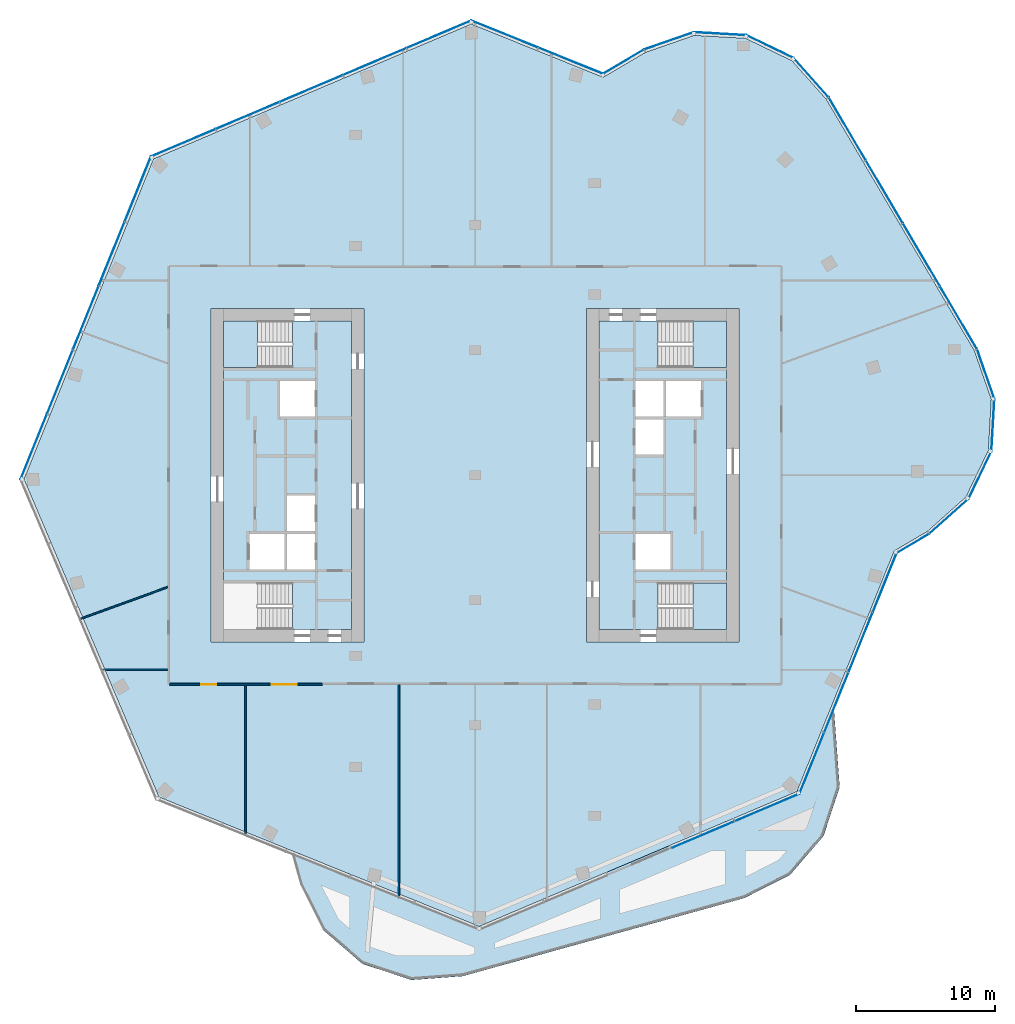
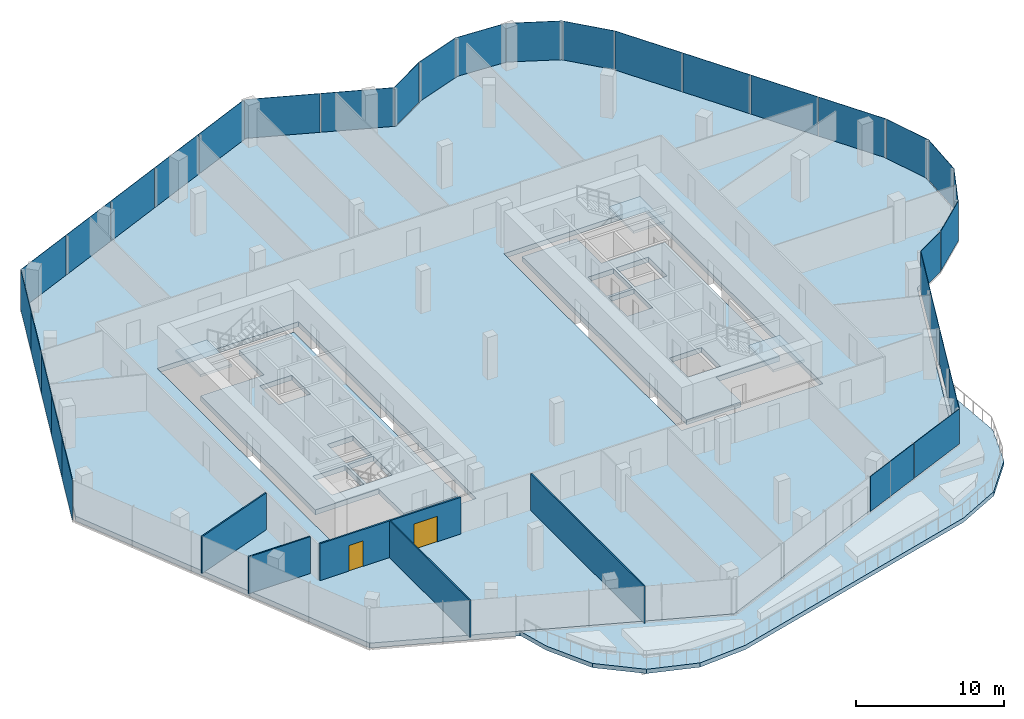
# One storey, part 11 of 17: 32 plates, 7 slabs, 5 walls, 2 doors, 2 openings, 19 elements without a shape of their own.
"""IFC4 building model written with IfcOpenShell, lengths in metres."""

from ifc_helpers import new_model, si_unit, direction, frame, frame_2d, origin, origin_2d, place, context, subcontext, project, spatial, polyline, rectangle, outline, extrude, material, layer, layer_set, type_object, element, fill, aggregate, save


model = new_model("IFC4")

# Units and contexts
model_context = context("Model", 3, precision=1e-05, world=origin(), true_north=direction((0.0, 1.0)))
body_context = subcontext(model_context, "Body", "Model", "MODEL_VIEW")
ifc_project = project(units=[si_unit("LENGTHUNIT", "METRE"), si_unit("AREAUNIT", "SQUARE_METRE"), si_unit("VOLUMEUNIT", "CUBIC_METRE"), si_unit("PLANEANGLEUNIT", "RADIAN"), si_unit("MASSUNIT", "GRAM", prefix="KILO")], contexts=[model_context])

# Site, building, storey
site_placement = place(None, origin())
site = spatial("IfcSite", under=ifc_project, at=site_placement, CompositionType="ELEMENT")
building_placement = place(site_placement, origin())
building = spatial("IfcBuilding", under=site, at=building_placement, Name="Orlundy Tower", CompositionType="ELEMENT")
storey_placement = place(building_placement, frame((0.0, 0.0, 296.39990234375)))
storey = spatial("IfcBuildingStorey", under=building, at=storey_placement, Name="L79", CompositionType="ELEMENT", Elevation=296.39990234375)

# Curtain wall, plate
ifc_material_1 = material(Name="Aluminium bronze anodised", Category="aluminium")
curtain_wall_type = type_object("IfcCurtainWallType", Name="CW6 wall", PredefinedType="NOTDEFINED", material=ifc_material_1)
curtain_wall_1_placement = place(storey_placement, origin())
curtain_wall_1 = element("IfcCurtainWall", 1, at=curtain_wall_1_placement, inside=storey, type_object=curtain_wall_type, Name="CW6 run 00", PredefinedType="NOTDEFINED")
ifc_material_2 = material(Name="Tinted glass", Category="glass")
ifc_layer_1 = layer(ifc_material_2, 0.035888671875)
ifc_layer_set_1 = layer_set([ifc_layer_1], Name="CW6 glass panel 36")
plate_type = type_object("IfcPlateType", Name="CW6 glass panel 36", PredefinedType="CURTAIN_PANEL", material=ifc_layer_set_1)
plate_1_placement = place(storey_placement, frame((31.497314453125, -4.91650390625, -0.239990234375), z_axis=(0.0, 0.0, 1.0), x_axis=(-0.861647850116, -0.507506632853, 0.0)))
plate_1 = element("IfcPlate", 2, at=plate_1_placement, type_object=plate_type, Name="CW6 panel", PredefinedType="CURTAIN_PANEL", context=body_context, shape_type="SweptSolid", body=[
    extrude(rectangle(XDim=2.70556640625, YDim=0.035888671875, at=origin_2d()), origin(), (0.0, 0.0, 1.0), 3.2900390625),
])
aggregate(curtain_wall_1, [plate_1])

# Curtain wall, plates
curtain_wall_2_placement = place(storey_placement, origin())
curtain_wall_2 = element("IfcCurtainWall", 3, at=curtain_wall_2_placement, inside=storey, type_object=curtain_wall_type, Name="CW6 run 01", PredefinedType="NOTDEFINED")
plate_2_placement = place(storey_placement, frame((29.476318359375, -7.72021484375, -0.239990234375), z_axis=(0.0, 0.0, 1.0), x_axis=(-0.374574637608, -0.927196764911, 0.0)))
plate_2 = element("IfcPlate", 4, at=plate_2_placement, type_object=plate_type, Name="CW6 panel", PredefinedType="CURTAIN_PANEL", context=body_context, shape_type="SweptSolid", body=[
    extrude(rectangle(XDim=4.56689453125, YDim=0.035888671875, at=origin_2d()), origin(), (0.0, 0.0, 1.0), 3.2900390625),
])
plate_3_placement = place(storey_placement, frame((27.737548828125, -12.0244140625, -0.239990234375), z_axis=(0.0, 0.0, 1.0), x_axis=(-0.374574637608, -0.927196764911, 0.0)))
plate_3 = element("IfcPlate", 5, at=plate_3_placement, type_object=plate_type, Name="CW6 panel", PredefinedType="CURTAIN_PANEL", context=body_context, shape_type="SweptSolid", body=[
    extrude(rectangle(XDim=4.6171875, YDim=0.035888671875, at=origin_2d()), origin(), (0.0, 0.0, 1.0), 3.2900390625),
])
plate_4_placement = place(storey_placement, frame((25.9892578125, -16.351806640625, 0.16015625), z_axis=(0.0, 0.0, 1.0), x_axis=(-0.374574637608, -0.927196764911, 0.0)))
plate_4 = element("IfcPlate", 6, at=plate_4_placement, type_object=plate_type, Name="CW6 panel", PredefinedType="CURTAIN_PANEL", context=body_context, shape_type="SweptSolid", body=[
    extrude(rectangle(XDim=4.6171875, YDim=0.035888671875, at=origin_2d()), origin(), (0.0, 0.0, 1.0), 2.889892578125),
])
plate_5_placement = place(storey_placement, frame((24.218994140625, -20.733642578125, 0.16015625), z_axis=(0.0, 0.0, 1.0), x_axis=(-0.374574637608, -0.927196764911, 0.0)))
plate_5 = element("IfcPlate", 7, at=plate_5_placement, type_object=plate_type, Name="CW6 panel", PredefinedType="CURTAIN_PANEL", context=body_context, shape_type="SweptSolid", body=[
    extrude(rectangle(XDim=4.734375, YDim=0.035888671875, at=origin_2d()), origin(), (0.0, 0.0, 1.0), 2.889892578125),
])
aggregate(curtain_wall_2, [plate_2, plate_3, plate_4, plate_5])

curtain_wall_3_placement = place(storey_placement, origin())
curtain_wall_3 = element("IfcCurtainWall", 8, at=curtain_wall_3_placement, inside=storey, type_object=curtain_wall_type, Name="CW6 run 02", PredefinedType="NOTDEFINED")
plate_6_placement = place(storey_placement, frame((21.013671875, -23.91259765625, 0.16015625), z_axis=(0.0, 0.0, 1.0), x_axis=(-0.920506804854, -0.390726531244, 0.0)))
plate_6 = element("IfcPlate", 9, at=plate_6_placement, type_object=plate_type, Name="CW6 panel", PredefinedType="CURTAIN_PANEL", context=body_context, shape_type="SweptSolid", body=[
    extrude(rectangle(XDim=5.03759765625, YDim=0.035888671875, at=origin_2d()), origin(), (0.0, 0.0, 1.0), 2.889892578125),
])
plate_7_placement = place(storey_placement, frame((16.38427734375, -25.877685546875, 0.16015625), z_axis=(0.0, 0.0, 1.0), x_axis=(-0.920506804854, -0.390726531244, 0.0)))
plate_7 = element("IfcPlate", 10, at=plate_7_placement, type_object=plate_type, Name="CW6 panel", PredefinedType="CURTAIN_PANEL", context=body_context, shape_type="SweptSolid", body=[
    extrude(rectangle(XDim=4.920654296875, YDim=0.035888671875, at=origin_2d()), origin(), (0.0, 0.0, 1.0), 2.889892578125),
])
aggregate(curtain_wall_3, [plate_6, plate_7])

curtain_wall_4_placement = place(storey_placement, origin())
curtain_wall_4 = element("IfcCurtainWall", 11, at=curtain_wall_4_placement, inside=storey, type_object=curtain_wall_type, Name="CW6 run 05", PredefinedType="NOTDEFINED")
plate_8_placement = place(storey_placement, frame((-31.767822265625, 2.05029296875, -0.239990234375), z_axis=(0.0, 0.0, 1.0), x_axis=(0.374607412456, 0.927183523653, 0.0)))
plate_8 = element("IfcPlate", 12, at=plate_8_placement, type_object=plate_type, Name="CW6 panel", PredefinedType="CURTAIN_PANEL", context=body_context, shape_type="SweptSolid", body=[
    extrude(rectangle(XDim=5.03759765625, YDim=0.035888671875, at=origin_2d()), origin(), (0.0, 0.0, 1.0), 3.2900390625),
])
plate_9_placement = place(storey_placement, frame((-29.8837890625, 6.713134765625, -0.239990234375), z_axis=(0.0, 0.0, 1.0), x_axis=(0.374607412456, 0.927183523653, 0.0)))
plate_9 = element("IfcPlate", 13, at=plate_9_placement, type_object=plate_type, Name="CW6 panel", PredefinedType="CURTAIN_PANEL", context=body_context, shape_type="SweptSolid", body=[
    extrude(rectangle(XDim=4.920654296875, YDim=0.035888671875, at=origin_2d()), origin(), (0.0, 0.0, 1.0), 3.2900390625),
])
plate_10_placement = place(storey_placement, frame((-28.021728515625, 11.32177734375, -0.239990234375), z_axis=(0.0, 0.0, 1.0), x_axis=(0.374607412456, 0.927183523653, 0.0)))
plate_10 = element("IfcPlate", 14, at=plate_10_placement, type_object=plate_type, Name="CW6 panel", PredefinedType="CURTAIN_PANEL", context=body_context, shape_type="SweptSolid", body=[
    extrude(rectangle(XDim=4.920654296875, YDim=0.035888671875, at=origin_2d()), origin(), (0.0, 0.0, 1.0), 3.2900390625),
])
plate_11_placement = place(storey_placement, frame((-26.159912109375, 15.93017578125, -0.239990234375), z_axis=(0.0, 0.0, 1.0), x_axis=(0.374607412456, 0.927183523653, 0.0)))
plate_11 = element("IfcPlate", 15, at=plate_11_placement, type_object=plate_type, Name="CW6 panel", PredefinedType="CURTAIN_PANEL", context=body_context, shape_type="SweptSolid", body=[
    extrude(rectangle(XDim=4.920654296875, YDim=0.035888671875, at=origin_2d()), origin(), (0.0, 0.0, 1.0), 3.2900390625),
])
plate_12_placement = place(storey_placement, frame((-24.27587890625, 20.593017578125, -0.239990234375), z_axis=(0.0, 0.0, 1.0), x_axis=(0.374607412456, 0.927183523653, 0.0)))
plate_12 = element("IfcPlate", 16, at=plate_12_placement, type_object=plate_type, Name="CW6 panel", PredefinedType="CURTAIN_PANEL", context=body_context, shape_type="SweptSolid", body=[
    extrude(rectangle(XDim=5.03759765625, YDim=0.035888671875, at=origin_2d()), origin(), (0.0, 0.0, 1.0), 3.2900390625),
])
aggregate(curtain_wall_4, [plate_8, plate_9, plate_10, plate_11, plate_12])

curtain_wall_5_placement = place(storey_placement, origin())
curtain_wall_5 = element("IfcCurtainWall", 17, at=curtain_wall_5_placement, inside=storey, type_object=curtain_wall_type, Name="CW6 run 06", PredefinedType="NOTDEFINED")
plate_13_placement = place(storey_placement, frame((-21.013671875, 23.91259765625, -0.239990234375), z_axis=(0.0, 0.0, 1.0), x_axis=(0.920506804854, 0.390726531244, 0.0)))
plate_13 = element("IfcPlate", 18, at=plate_13_placement, type_object=plate_type, Name="CW6 panel", PredefinedType="CURTAIN_PANEL", context=body_context, shape_type="SweptSolid", body=[
    extrude(rectangle(XDim=5.03759765625, YDim=0.035888671875, at=origin_2d()), origin(), (0.0, 0.0, 1.0), 3.2900390625),
])
plate_14_placement = place(storey_placement, frame((-16.38427734375, 25.877685546875, -0.239990234375), z_axis=(0.0, 0.0, 1.0), x_axis=(0.920506804854, 0.390726531244, 0.0)))
plate_14 = element("IfcPlate", 19, at=plate_14_placement, type_object=plate_type, Name="CW6 panel", PredefinedType="CURTAIN_PANEL", context=body_context, shape_type="SweptSolid", body=[
    extrude(rectangle(XDim=4.920654296875, YDim=0.035888671875, at=origin_2d()), origin(), (0.0, 0.0, 1.0), 3.2900390625),
])
plate_15_placement = place(storey_placement, frame((-11.808837890625, 27.81982421875, -0.239990234375), z_axis=(0.0, 0.0, 1.0), x_axis=(0.920506804854, 0.390726531244, 0.0)))
plate_15 = element("IfcPlate", 20, at=plate_15_placement, type_object=plate_type, Name="CW6 panel", PredefinedType="CURTAIN_PANEL", context=body_context, shape_type="SweptSolid", body=[
    extrude(rectangle(XDim=4.920654296875, YDim=0.035888671875, at=origin_2d()), origin(), (0.0, 0.0, 1.0), 3.2900390625),
])
plate_16_placement = place(storey_placement, frame((-7.233154296875, 29.761962890625, -0.239990234375), z_axis=(0.0, 0.0, 1.0), x_axis=(0.920506804854, 0.390726531244, 0.0)))
plate_16 = element("IfcPlate", 21, at=plate_16_placement, type_object=plate_type, Name="CW6 panel", PredefinedType="CURTAIN_PANEL", context=body_context, shape_type="SweptSolid", body=[
    extrude(rectangle(XDim=4.920654296875, YDim=0.035888671875, at=origin_2d()), origin(), (0.0, 0.0, 1.0), 3.2900390625),
])
plate_17_placement = place(storey_placement, frame((-2.603759765625, 31.72705078125, -0.239990234375), z_axis=(0.0, 0.0, 1.0), x_axis=(0.920506804854, 0.390726531244, 0.0)))
plate_17 = element("IfcPlate", 22, at=plate_17_placement, type_object=plate_type, Name="CW6 panel", PredefinedType="CURTAIN_PANEL", context=body_context, shape_type="SweptSolid", body=[
    extrude(rectangle(XDim=5.03759765625, YDim=0.035888671875, at=origin_2d()), origin(), (0.0, 0.0, 1.0), 3.2900390625),
])
aggregate(curtain_wall_5, [plate_13, plate_14, plate_15, plate_16, plate_17])

curtain_wall_6_placement = place(storey_placement, origin())
curtain_wall_6 = element("IfcCurtainWall", 23, at=curtain_wall_6_placement, inside=storey, type_object=curtain_wall_type, Name="CW6 run 07", PredefinedType="NOTDEFINED")
plate_18_placement = place(storey_placement, frame((2.11865234375, 31.739990234375, -0.239990234375), z_axis=(0.0, 0.0, 1.0), x_axis=(0.927170719858, -0.374639101319, 0.0)))
plate_18 = element("IfcPlate", 24, at=plate_18_placement, type_object=plate_type, Name="CW6 panel", PredefinedType="CURTAIN_PANEL", context=body_context, shape_type="SweptSolid", body=[
    extrude(rectangle(XDim=5.185302734375, YDim=0.035888671875, at=origin_2d()), origin(), (0.0, 0.0, 1.0), 3.2900390625),
])
plate_19_placement = place(storey_placement, frame((6.879150390625, 29.81640625, -0.239990234375), z_axis=(0.0, 0.0, 1.0), x_axis=(0.927170719858, -0.374639101319, 0.0)))
plate_19 = element("IfcPlate", 25, at=plate_19_placement, type_object=plate_type, Name="CW6 panel", PredefinedType="CURTAIN_PANEL", context=body_context, shape_type="SweptSolid", body=[
    extrude(rectangle(XDim=4.98388671875, YDim=0.035888671875, at=origin_2d()), origin(), (0.0, 0.0, 1.0), 3.2900390625),
])
aggregate(curtain_wall_6, [plate_18, plate_19])

# Curtain wall, plate
curtain_wall_7_placement = place(storey_placement, origin())
curtain_wall_7 = element("IfcCurtainWall", 26, at=curtain_wall_7_placement, inside=storey, type_object=curtain_wall_type, Name="CW6 run 08", PredefinedType="NOTDEFINED")
plate_20_placement = place(storey_placement, frame((10.6630859375, 29.750732421875, -0.239990234375), z_axis=(0.0, 0.0, 1.0), x_axis=(0.861635724688, 0.507527218917, 0.0)))
plate_20 = element("IfcPlate", 27, at=plate_20_placement, type_object=plate_type, Name="CW6 panel", PredefinedType="CURTAIN_PANEL", context=body_context, shape_type="SweptSolid", body=[
    extrude(rectangle(XDim=3.420166015625, YDim=0.035888671875, at=origin_2d()), origin(), (0.0, 0.0, 1.0), 3.2900390625),
])
aggregate(curtain_wall_7, [plate_20])

curtain_wall_8_placement = place(storey_placement, origin())
curtain_wall_8 = element("IfcCurtainWall", 28, at=curtain_wall_8_placement, inside=storey, type_object=curtain_wall_type, Name="CW6 run 09", PredefinedType="NOTDEFINED")
plate_21_placement = place(storey_placement, frame((13.95068359375, 31.25732421875, -0.239990234375), z_axis=(0.0, 0.0, 1.0), x_axis=(0.944081083956, 0.32971337085, 0.0)))
plate_21 = element("IfcPlate", 29, at=plate_21_placement, type_object=plate_type, Name="CW6 panel", PredefinedType="CURTAIN_PANEL", context=body_context, shape_type="SweptSolid", body=[
    extrude(rectangle(XDim=3.7470703125, YDim=0.035888671875, at=origin_2d()), origin(), (0.0, 0.0, 1.0), 3.2900390625),
])
aggregate(curtain_wall_8, [plate_21])

curtain_wall_9_placement = place(storey_placement, origin())
curtain_wall_9 = element("IfcCurtainWall", 30, at=curtain_wall_9_placement, inside=storey, type_object=curtain_wall_type, Name="CW6 run 010", PredefinedType="NOTDEFINED")
plate_22_placement = place(storey_placement, frame((17.614013671875, 31.767578125, -0.239990234375), z_axis=(0.0, 0.0, 1.0), x_axis=(0.998394082315, -0.056650299193, 0.0)))
plate_22 = element("IfcPlate", 31, at=plate_22_placement, type_object=plate_type, Name="CW6 panel", PredefinedType="CURTAIN_PANEL", context=body_context, shape_type="SweptSolid", body=[
    extrude(rectangle(XDim=3.79541015625, YDim=0.035888671875, at=origin_2d()), origin(), (0.0, 0.0, 1.0), 3.2900390625),
])
aggregate(curtain_wall_9, [plate_22])

curtain_wall_10_placement = place(storey_placement, origin())
curtain_wall_10 = element("IfcCurtainWall", 32, at=curtain_wall_10_placement, inside=storey, type_object=curtain_wall_type, Name="CW6 run 011", PredefinedType="NOTDEFINED")
plate_23_placement = place(storey_placement, frame((21.217529296875, 30.83544921875, -0.239990234375), z_axis=(0.0, 0.0, 1.0), x_axis=(0.900598982958, -0.434650977101, 0.0)))
plate_23 = element("IfcPlate", 33, at=plate_23_placement, type_object=plate_type, Name="CW6 panel", PredefinedType="CURTAIN_PANEL", context=body_context, shape_type="SweptSolid", body=[
    extrude(rectangle(XDim=3.794677734375, YDim=0.035888671875, at=origin_2d()), origin(), (0.0, 0.0, 1.0), 3.2900390625),
])
aggregate(curtain_wall_10, [plate_23])

curtain_wall_11_placement = place(storey_placement, origin())
curtain_wall_11 = element("IfcCurtainWall", 34, at=curtain_wall_11_placement, inside=storey, type_object=curtain_wall_type, Name="CW6 run 012", PredefinedType="NOTDEFINED")
plate_24_placement = place(storey_placement, frame((24.17431640625, 28.613037109375, -0.239990234375), z_axis=(0.0, 0.0, 1.0), x_axis=(0.666053294525, -0.745904155272, 0.0)))
plate_24 = element("IfcPlate", 35, at=plate_24_placement, type_object=plate_type, Name="CW6 panel", PredefinedType="CURTAIN_PANEL", context=body_context, shape_type="SweptSolid", body=[
    extrude(rectangle(XDim=3.747802734375, YDim=0.035888671875, at=origin_2d()), origin(), (0.0, 0.0, 1.0), 3.2900390625),
])
aggregate(curtain_wall_11, [plate_24])

# Curtain wall, plates
curtain_wall_12_placement = place(storey_placement, origin())
curtain_wall_12 = element("IfcCurtainWall", 36, at=curtain_wall_12_placement, inside=storey, type_object=curtain_wall_type, Name="CW6 run 013", PredefinedType="NOTDEFINED")
plate_25_placement = place(storey_placement, frame((26.777099609375, 24.92529296875, -0.239990234375), z_axis=(0.0, 0.0, 1.0), x_axis=(0.507531980737, -0.861632919827, 0.0)))
plate_25 = element("IfcPlate", 37, at=plate_25_placement, type_object=plate_type, Name="CW6 panel", PredefinedType="CURTAIN_PANEL", context=body_context, shape_type="SweptSolid", body=[
    extrude(rectangle(XDim=5.2216796875, YDim=0.035888671875, at=origin_2d()), origin(), (0.0, 0.0, 1.0), 3.2900390625),
])
plate_26_placement = place(storey_placement, frame((29.447021484375, 20.392333984375, -0.239990234375), z_axis=(0.0, 0.0, 1.0), x_axis=(0.507531980737, -0.861632919827, 0.0)))
plate_26 = element("IfcPlate", 38, at=plate_26_placement, type_object=plate_type, Name="CW6 panel", PredefinedType="CURTAIN_PANEL", context=body_context, shape_type="SweptSolid", body=[
    extrude(rectangle(XDim=5.199951171875, YDim=0.035888671875, at=origin_2d()), origin(), (0.0, 0.0, 1.0), 3.2900390625),
])
plate_27_placement = place(storey_placement, frame((32.111572265625, 15.868896484375, -0.239990234375), z_axis=(0.0, 0.0, 1.0), x_axis=(0.507531980737, -0.861632919827, 0.0)))
plate_27 = element("IfcPlate", 39, at=plate_27_placement, type_object=plate_type, Name="CW6 panel", PredefinedType="CURTAIN_PANEL", context=body_context, shape_type="SweptSolid", body=[
    extrude(rectangle(XDim=5.199951171875, YDim=0.035888671875, at=origin_2d()), origin(), (0.0, 0.0, 1.0), 3.2900390625),
])
plate_28_placement = place(storey_placement, frame((34.781494140625, 11.3359375, -0.239990234375), z_axis=(0.0, 0.0, 1.0), x_axis=(0.507531980737, -0.861632919827, 0.0)))
plate_28 = element("IfcPlate", 40, at=plate_28_placement, type_object=plate_type, Name="CW6 panel", PredefinedType="CURTAIN_PANEL", context=body_context, shape_type="SweptSolid", body=[
    extrude(rectangle(XDim=5.2216796875, YDim=0.035888671875, at=origin_2d()), origin(), (0.0, 0.0, 1.0), 3.2900390625),
])
aggregate(curtain_wall_12, [plate_25, plate_26, plate_27, plate_28])

# Curtain wall, plate
curtain_wall_13_placement = place(storey_placement, origin())
curtain_wall_13 = element("IfcCurtainWall", 41, at=curtain_wall_13_placement, inside=storey, type_object=curtain_wall_type, Name="CW6 run 014", PredefinedType="NOTDEFINED")
plate_29_placement = place(storey_placement, frame((36.745361328125, 7.271728515625, -0.239990234375), z_axis=(0.0, 0.0, 1.0), x_axis=(0.329629404105, -0.944110404534, 0.0)))
plate_29 = element("IfcPlate", 42, at=plate_29_placement, type_object=plate_type, Name="CW6 panel", PredefinedType="CURTAIN_PANEL", context=body_context, shape_type="SweptSolid", body=[
    extrude(rectangle(XDim=3.748046875, YDim=0.035888671875, at=origin_2d()), origin(), (0.0, 0.0, 1.0), 3.2900390625),
])
aggregate(curtain_wall_13, [plate_29])

curtain_wall_14_placement = place(storey_placement, origin())
curtain_wall_14 = element("IfcCurtainWall", 43, at=curtain_wall_14_placement, inside=storey, type_object=curtain_wall_type, Name="CW6 run 015", PredefinedType="NOTDEFINED")
plate_30_placement = place(storey_placement, frame((37.255615234375, 3.60791015625, -0.239990234375), z_axis=(0.0, 0.0, 1.0), x_axis=(-0.056650299193, -0.998394082315, 0.0)))
plate_30 = element("IfcPlate", 44, at=plate_30_placement, type_object=plate_type, Name="CW6 panel", PredefinedType="CURTAIN_PANEL", context=body_context, shape_type="SweptSolid", body=[
    extrude(rectangle(XDim=3.795166015625, YDim=0.035888671875, at=origin_2d()), origin(), (0.0, 0.0, 1.0), 3.2900390625),
])
aggregate(curtain_wall_14, [plate_30])

curtain_wall_15_placement = place(storey_placement, origin())
curtain_wall_15 = element("IfcCurtainWall", 45, at=curtain_wall_15_placement, inside=storey, type_object=curtain_wall_type, Name="CW6 run 016", PredefinedType="NOTDEFINED")
plate_31_placement = place(storey_placement, frame((36.323974609375, 0.004638671875, -0.239990234375), z_axis=(0.0, 0.0, 1.0), x_axis=(-0.434432108019, -0.900704581715, 0.0)))
plate_31 = element("IfcPlate", 46, at=plate_31_placement, type_object=plate_type, Name="CW6 panel", PredefinedType="CURTAIN_PANEL", context=body_context, shape_type="SweptSolid", body=[
    extrude(rectangle(XDim=3.794189453125, YDim=0.035888671875, at=origin_2d()), origin(), (0.0, 0.0, 1.0), 3.2900390625),
])
aggregate(curtain_wall_15, [plate_31])

curtain_wall_16_placement = place(storey_placement, origin())
curtain_wall_16 = element("IfcCurtainWall", 47, at=curtain_wall_16_placement, inside=storey, type_object=curtain_wall_type, Name="CW6 run 017", PredefinedType="NOTDEFINED")
plate_32_placement = place(storey_placement, frame((34.1015625, -2.952392578125, -0.239990234375), z_axis=(0.0, 0.0, 1.0), x_axis=(-0.746023794818, -0.665919287575, 0.0)))
plate_32 = element("IfcPlate", 48, at=plate_32_placement, type_object=plate_type, Name="CW6 panel", PredefinedType="CURTAIN_PANEL", context=body_context, shape_type="SweptSolid", body=[
    extrude(rectangle(XDim=3.74853515625, YDim=0.035888671875, at=origin_2d()), origin(), (0.0, 0.0, 1.0), 3.2900390625),
])
aggregate(curtain_wall_16, [plate_32])

# Slabs
ifc_material_3 = material(Name="Concrete C50/60", Category="concrete")
ifc_layer_2 = layer(ifc_material_3, 0.409912109375)
ifc_layer_set_2 = layer_set([ifc_layer_2], Name="Core Floor Slab 410")
slab_type_1 = type_object("IfcSlabType", Name="Core Floor Slab 410", PredefinedType="FLOOR", material=ifc_layer_set_2)
slab_1_placement = place(storey_placement, frame((0.0, 0.0, -0.409912109375)))
element("IfcSlab", 49, at=slab_1_placement, inside=storey, type_object=slab_type_1, Name="Core floor W61", PredefinedType="FLOOR", context=body_context, shape_type="SweptSolid", body=[
    extrude(outline(polyline([(-18.10009765625, 7.75), (-13.14501953125, 7.75), (-13.14501953125, 11.10009765625), (-8.89990234375, 11.10009765625), (-8.89990234375, -11.10009765625), (-13.14501953125, -11.10009765625), (-13.14501953125, -7.75), (-18.10009765625, -7.75), (-18.10009765625, 7.75)]), holes=[polyline([(-13.5400390625, -4.22509765625), (-13.5400390625, -6.77490234375), (-11.5400390625, -6.77490234375), (-11.5400390625, -4.22509765625), (-13.5400390625, -4.22509765625)]), polyline([(-13.739990234375, -4.22509765625), (-16.239990234375, -4.22509765625), (-16.239990234375, -6.77490234375), (-13.739990234375, -6.77490234375), (-13.739990234375, -4.22509765625)]), polyline([(-11.5400390625, -4.02490234375), (-11.5400390625, -1.47509765625), (-13.5400390625, -1.47509765625), (-13.5400390625, -4.02490234375), (-11.5400390625, -4.02490234375)]), polyline([(-14.0400390625, 4.22509765625), (-11.5400390625, 4.22509765625), (-11.5400390625, 6.77490234375), (-14.0400390625, 6.77490234375), (-14.0400390625, 4.22509765625)])]), origin(), (0.0, 0.0, 1.0), 0.409912109375),
])
slab_2_placement = place(storey_placement, frame((0.0, 0.0, -0.409912109375)))
element("IfcSlab", 50, at=slab_2_placement, inside=storey, type_object=slab_type_1, Name="Core floor E61", PredefinedType="FLOOR", context=body_context, shape_type="SweptSolid", body=[
    extrude(outline(polyline([(18.10009765625, -7.75), (13.14501953125, -7.75), (13.14501953125, -11.10009765625), (8.89990234375, -11.10009765625), (8.89990234375, 11.10009765625), (13.14501953125, 11.10009765625), (13.14501953125, 7.75), (18.10009765625, 7.75), (18.10009765625, -7.75)]), holes=[polyline([(13.5400390625, 4.22509765625), (13.5400390625, 6.77490234375), (11.5400390625, 6.77490234375), (11.5400390625, 4.22509765625), (13.5400390625, 4.22509765625)]), polyline([(13.739990234375, 4.22509765625), (16.239990234375, 4.22509765625), (16.239990234375, 6.77490234375), (13.739990234375, 6.77490234375), (13.739990234375, 4.22509765625)]), polyline([(11.5400390625, 4.02490234375), (11.5400390625, 1.47509765625), (13.5400390625, 1.47509765625), (13.5400390625, 4.02490234375), (11.5400390625, 4.02490234375)]), polyline([(14.0400390625, -4.22509765625), (11.5400390625, -4.22509765625), (11.5400390625, -6.77490234375), (14.0400390625, -6.77490234375), (14.0400390625, -4.22509765625)])]), origin(), (0.0, 0.0, 1.0), 0.409912109375),
])

# Stair, slab
ifc_material_4 = material(Name="Concrete C50/60", Category="concrete")
stair_type = type_object("IfcStairType", Name="Exit Stair 20 risers", PredefinedType="HALF_TURN_STAIR", material=ifc_material_4)
stair_1_placement = place(storey_placement, origin())
stair_1 = element("IfcStair", 51, at=stair_1_placement, inside=storey, type_object=stair_type, Name="L79 Exit Stair ST-W1", PredefinedType="HALF_TURN_STAIR")
ifc_material_5 = material(Name="Concrete C50/60", Category="concrete")
ifc_layer_3 = layer(ifc_material_5, 0.199951171875)
ifc_layer_set_3 = layer_set([ifc_layer_3], Name="Exit Stair Landing")
slab_type_2 = type_object("IfcSlabType", Name="Exit Stair Landing", PredefinedType="LANDING", material=ifc_layer_set_3)
slab_3_placement = place(storey_placement, frame((0.0, 0.0, 1.550048828125)))
slab_3 = element("IfcSlab", 52, at=slab_3_placement, type_object=slab_type_2, Name="ST-W1 landing 1", PredefinedType="LANDING", context=body_context, shape_type="SweptSolid", body=[
    extrude(outline(polyline([(-15.659912109375, 11.10009765625), (-18.10009765625, 11.10009765625), (-18.10009765625, 7.75), (-15.659912109375, 7.75), (-15.659912109375, 11.10009765625)])), origin(), (0.0, 0.0, 1.0), 0.199951171875),
])
aggregate(stair_1, [slab_3])

stair_2_placement = place(storey_placement, origin())
stair_2 = element("IfcStair", 53, at=stair_2_placement, inside=storey, type_object=stair_type, Name="L79 Exit Stair ST-E1", PredefinedType="HALF_TURN_STAIR")
slab_4_placement = place(storey_placement, frame((0.0, 0.0, 1.550048828125)))
slab_4 = element("IfcSlab", 54, at=slab_4_placement, type_object=slab_type_2, Name="ST-E1 landing 1", PredefinedType="LANDING", context=body_context, shape_type="SweptSolid", body=[
    extrude(outline(polyline([(15.659912109375, -11.10009765625), (18.10009765625, -11.10009765625), (18.10009765625, -7.75), (15.659912109375, -7.75), (15.659912109375, -11.10009765625)])), origin(), (0.0, 0.0, 1.0), 0.199951171875),
])
aggregate(stair_2, [slab_4])

stair_3_placement = place(storey_placement, origin())
stair_3 = element("IfcStair", 55, at=stair_3_placement, inside=storey, type_object=stair_type, Name="L79 Exit Stair ST-E2", PredefinedType="HALF_TURN_STAIR")
slab_5_placement = place(storey_placement, frame((0.0, 0.0, 1.550048828125)))
slab_5 = element("IfcSlab", 56, at=slab_5_placement, type_object=slab_type_2, Name="ST-E2 landing 1", PredefinedType="LANDING", context=body_context, shape_type="SweptSolid", body=[
    extrude(outline(polyline([(15.659912109375, 7.75), (18.10009765625, 7.75), (18.10009765625, 11.10009765625), (15.659912109375, 11.10009765625), (15.659912109375, 7.75)])), origin(), (0.0, 0.0, 1.0), 0.199951171875),
])
aggregate(stair_3, [slab_5])

# Slabs
ifc_material_6 = material(Name="Concrete C45/55", Category="concrete")
ifc_layer_4 = layer(ifc_material_6, 0.39990234375)
ifc_layer_set_4 = layer_set([ifc_layer_4], Name="FLOOR SLAB THICK 400 C45/55")
slab_type_3 = type_object("IfcSlabType", Name="FLOOR SLAB THICK 400 C45/55", PredefinedType="FLOOR", material=ifc_layer_set_4)
slab_6_placement = place(storey_placement, frame((0.0, 0.0, -0.39990234375)))
element("IfcSlab", 57, at=slab_6_placement, inside=storey, type_object=slab_type_3, Name="Floor slab L79", PredefinedType="FLOOR", context=body_context, shape_type="SweptSolid", body=[
    extrude(outline(polyline([(30.154052734375, -5.449951171875), (23.160888671875, -22.760009765625), (0.282958984375, -32.470947265625), (-22.760009765625, -23.160888671875), (-32.470947265625, -0.282958984375), (-23.160888671875, 22.760009765625), (-0.282958984375, 32.470947265625), (9.2080078125, 28.635986328125), (12.251953125, 30.428955078125), (15.7509765625, 31.65087890625), (19.451904296875, 31.44091796875), (22.7900390625, 29.830078125), (25.259033203125, 27.06494140625), (35.9169921875, 8.970947265625), (37.138916015625, 5.470947265625), (36.928955078125, 1.77001953125), (35.319091796875, -1.568115234375), (32.552978515625, -4.037109375), (30.154052734375, -5.449951171875)]), holes=[polyline([(-8.0, -12.0), (-8.0, 12.0), (-19.0, 12.0), (-19.0, -12.0), (-8.0, -12.0)]), polyline([(19.0, -12.0), (19.0, 12.0), (8.0, 12.0), (8.0, -12.0), (19.0, -12.0)])]), origin(), (0.0, 0.0, 1.0), 0.39990234375),
])
ifc_material_7 = material(Name="Concrete C45/55", Category="concrete")
ifc_layer_5 = layer(ifc_material_7, 0.35009765625)
ifc_layer_set_5 = layer_set([ifc_layer_5], Name="TERRACE SLAB 350 C45/55")
slab_type_4 = type_object("IfcSlabType", Name="TERRACE SLAB 350 C45/55", PredefinedType="ROOF", material=ifc_layer_set_5)
slab_7_placement = place(storey_placement, frame((0.0, 0.0, -0.349853515625)))
element("IfcSlab", 58, at=slab_7_placement, inside=storey, type_object=slab_type_4, Name="Terrace slab L79-1", PredefinedType="ROOF", context=body_context, shape_type="SweptSolid", body=[
    extrude(outline(polyline([(25.77392578125, -16.2919921875), (26.22802734375, -22.443115234375), (25.06689453125, -25.962890625), (22.64794921875, -28.77099609375), (19.337890625, -30.43896484375), (-0.89794921875, -36.051025390625), (-4.594970703125, -36.325927734375), (-8.114990234375, -35.1650390625), (-10.922119140625, -32.74609375), (-12.592041015625, -29.43603515625), (-13.26708984375, -26.99609375), (0.282958984375, -32.470947265625), (23.160888671875, -22.760009765625), (25.77392578125, -16.2919921875)])), origin(), (0.0, 0.0, 1.0), 0.349853515625),
])

# Walls
ifc_material_8 = material(Name="Gypsum board partition")
ifc_layer_6 = layer(ifc_material_8, 0.10009765625)
ifc_layer_set_6 = layer_set([ifc_layer_6], Name="Floor partition 100")
wall_type_1 = type_object("IfcWallType", Name="Floor partition 100", PredefinedType="PARTITIONING", material=ifc_layer_set_6)
wall_1_placement = place(storey_placement, frame((-26.919921875, -14.0, 0.0), z_axis=(0.0, 0.0, 1.0), x_axis=(1.0, 0.0, 0.0)))
element("IfcWall", 59, at=wall_1_placement, inside=storey, type_object=wall_type_1, Name="wall-int-L79-006", PredefinedType="PARTITIONING", context=body_context, shape_type="SweptSolid", body=[
    extrude(rectangle(XDim=4.806884765625, YDim=0.10009765625, at=frame_2d((2.4033203125, 0.0))), origin(), (0.0, 0.0, 1.0), 3.030029296875),
])
wall_2_placement = place(storey_placement, frame((-28.465087890625, -10.361083984375, 0.0), z_axis=(0.0, 0.0, 1.0), x_axis=(0.939677066281, 0.342062875953, 0.0)))
element("IfcWall", 60, at=wall_2_placement, inside=storey, type_object=wall_type_1, Name="wall-int-L79-014", PredefinedType="PARTITIONING", context=body_context, shape_type="SweptSolid", body=[
    extrude(rectangle(XDim=6.741943359375, YDim=0.10009765625, at=frame_2d((3.37109375, 0.0))), origin(), (0.0, 0.0, 1.0), 3.030029296875),
])
wall_3_placement = place(storey_placement, frame((-5.493896484375, -30.406982421875, 0.0), z_axis=(0.0, 0.0, 1.0), x_axis=(0.0, 1.0, 0.0)))
element("IfcWall", 61, at=wall_3_placement, inside=storey, type_object=wall_type_1, Name="wall-int-L79-024", PredefinedType="PARTITIONING", context=body_context, shape_type="SweptSolid", body=[
    extrude(rectangle(XDim=15.343994140625, YDim=0.10009765625, at=frame_2d((7.671875, 0.0))), origin(), (0.0, 0.0, 1.0), 3.030029296875),
])
wall_4_placement = place(storey_placement, frame((-16.52001953125, -25.951904296875, 0.0), z_axis=(0.0, 0.0, 1.0), x_axis=(0.0, 1.0, 0.0)))
element("IfcWall", 62, at=wall_4_placement, inside=storey, type_object=wall_type_1, Name="wall-int-L79-026", PredefinedType="PARTITIONING", context=body_context, shape_type="SweptSolid", body=[
    extrude(rectangle(XDim=10.837890625, YDim=0.10009765625, at=frame_2d((5.4189453125, 0.0))), origin(), (0.0, 0.0, 1.0), 3.030029296875),
])

# Wall, openings, doors
ifc_material_9 = material(Name="Gypsum board partition, double layer")
ifc_layer_7 = layer(ifc_material_9, 0.125)
ifc_layer_set_7 = layer_set([ifc_layer_7], Name="Floor partition 125")
wall_type_2 = type_object("IfcWallType", Name="Floor partition 125", PredefinedType="PARTITIONING", material=ifc_layer_set_7)
wall_5_placement = place(storey_placement, frame((-10.990966796875, -15.051025390625, 0.0), z_axis=(0.0, 0.0, 1.0), x_axis=(-1.0, 0.0, 0.0)))
wall_5 = element("IfcWall", 63, at=wall_5_placement, inside=storey, type_object=wall_type_2, Name="wall-int-L79-003", PredefinedType="PARTITIONING", context=body_context, shape_type="SweptSolid", body=[
    extrude(rectangle(XDim=10.9970703125, YDim=0.125, at=frame_2d((5.49853515625, 0.0))), origin(), (0.0, 0.0, 1.0), 3.030029296875),
])
opening_1_placement = place(wall_5_placement, frame((7.62890625, 0.0, 0.0)))
opening_1 = element("IfcOpeningElement", 64, at=opening_1_placement, cuts=wall_5, Name="Opening 61102", PredefinedType="OPENING", context=body_context, shape_type="SweptSolid", body=[
    extrude(rectangle(XDim=1.10009765625, YDim=2.10009765625, at=frame_2d((0.550048828125, 1.050048828125))), frame((0.0, 0.072509765625, 0.0), z_axis=(0.0, -1.0, 0.0), x_axis=(1.0, 0.0, 0.0)), (0.0, 0.0, 1.0), 0.14501953125),
])
opening_2_placement = place(wall_5_placement, frame((1.85009765625, 0.0, 0.0)))
opening_2 = element("IfcOpeningElement", 65, at=opening_2_placement, cuts=wall_5, Name="Opening 61103", PredefinedType="OPENING", context=body_context, shape_type="SweptSolid", body=[
    extrude(rectangle(XDim=1.800048828125, YDim=2.10009765625, at=frame_2d((0.89990234375, 1.050048828125))), frame((0.0, 0.072509765625, 0.0), z_axis=(0.0, -1.0, 0.0), x_axis=(1.0, 0.0, 0.0)), (0.0, 0.0, 1.0), 0.14501953125),
])
ifc_material_10 = material(Name="Timber door leaf", Category="wood")
door_type_1 = type_object("IfcDoorType", Name="Floor door double 1800 FD30S", OperationType="NOTDEFINED", PredefinedType="DOOR", material=ifc_material_10)
door_1_placement = place(opening_2_placement, origin())
door_1 = element("IfcDoor", 66, at=door_1_placement, inside=storey, type_object=door_type_1, Name="Door 61103", OperationType="DOUBLE_DOOR_SINGLE_SWING", OverallHeight=2.10009765625, OverallWidth=1.800048828125, PredefinedType="DOOR", context=body_context, shape_type="SweptSolid", body=[
    extrude(rectangle(XDim=1.800048828125, YDim=2.10009765625, at=frame_2d((0.89990234375, 1.050048828125))), frame((0.0, 0.02490234375, 0.0), z_axis=(0.0, -1.0, 0.0), x_axis=(1.0, 0.0, 0.0)), (0.0, 0.0, 1.0), 0.050048828125),
])
fill(opening_2, door_1)
ifc_material_11 = material(Name="Timber door leaf", Category="wood")
door_type_2 = type_object("IfcDoorType", Name="Floor door xwide 1100 FD30S", OperationType="NOTDEFINED", PredefinedType="DOOR", material=ifc_material_11)
door_2_placement = place(opening_1_placement, origin())
door_2 = element("IfcDoor", 67, at=door_2_placement, inside=storey, type_object=door_type_2, Name="Door 61102", OperationType="SINGLE_SWING_RIGHT", OverallHeight=2.10009765625, OverallWidth=1.10009765625, PredefinedType="DOOR", context=body_context, shape_type="SweptSolid", body=[
    extrude(rectangle(XDim=1.10009765625, YDim=2.10009765625, at=frame_2d((0.550048828125, 1.050048828125))), frame((0.0, 0.02490234375, 0.0), z_axis=(0.0, -1.0, 0.0), x_axis=(1.0, 0.0, 0.0)), (0.0, 0.0, 1.0), 0.050048828125),
])
fill(opening_1, door_2)

save(model, "model.ifc")
